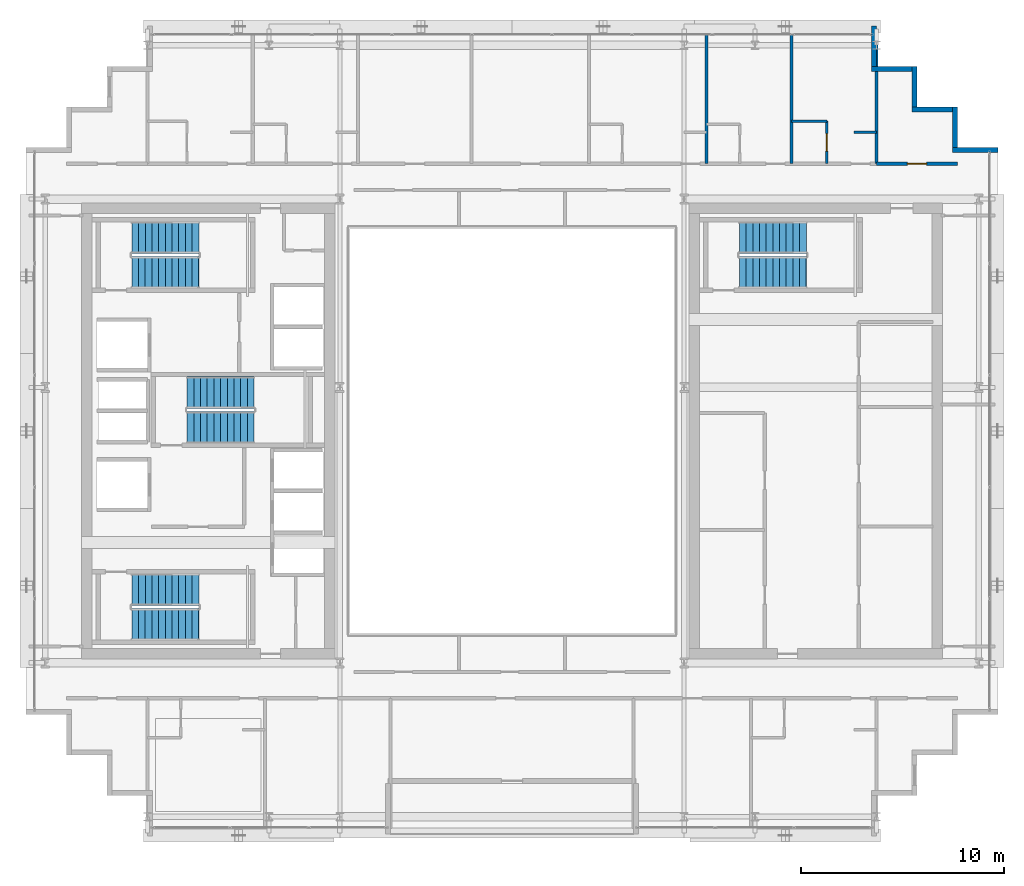
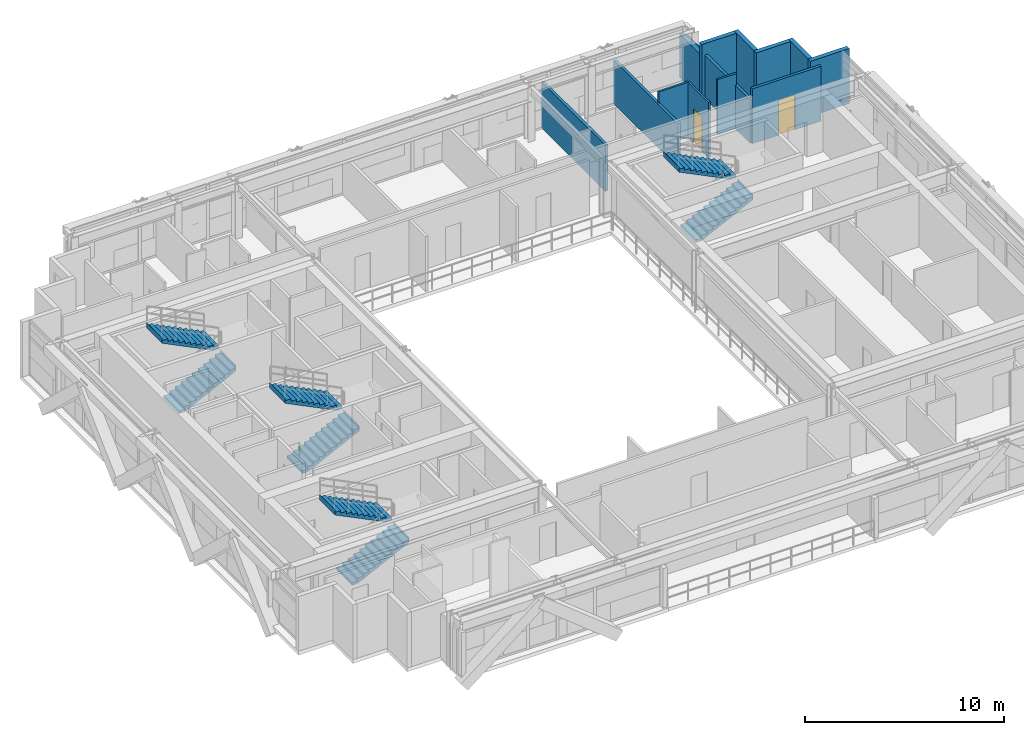
# One storey, part 27 of 31: 13 walls, 8 stair flights, 2 doors, 2 openings, 4 elements without a shape of their own.
"""IFC4 building model written with IfcOpenShell, lengths in metres."""

from ifc_helpers import new_model, si_unit, direction, frame, frame_2d, origin, place, context, subcontext, project, spatial, polyline, rectangle, outline, extrude, source, transform, mapped, material, layer, layer_set, type_object, element, fill, aggregate, save


model = new_model("IFC4")

# Units and contexts
model_context = context("Model", 3, precision=1e-05, world=origin(), true_north=direction((0.0, 1.0)))
body_context = subcontext(model_context, "Body", "Model", "MODEL_VIEW")
ifc_project = project(units=[si_unit("LENGTHUNIT", "METRE"), si_unit("AREAUNIT", "SQUARE_METRE"), si_unit("VOLUMEUNIT", "CUBIC_METRE"), si_unit("PLANEANGLEUNIT", "RADIAN"), si_unit("MASSUNIT", "GRAM", prefix="KILO")], contexts=[model_context])

# Site, building, storey
site_placement = place(None, origin())
site = spatial("IfcSite", under=ifc_project, at=site_placement, CompositionType="ELEMENT")
building_placement = place(site_placement, origin())
building = spatial("IfcBuilding", under=site, at=building_placement, Name="Ocotamira Hotel", CompositionType="ELEMENT")
storey_placement = place(building_placement, frame((0.0, 0.0, 188.39990234375)))
storey = spatial("IfcBuildingStorey", under=building, at=storey_placement, Name="L47", CompositionType="ELEMENT", Elevation=188.39990234375)

# Walls
ifc_material_1 = material(Name="Precast concrete C45/55", Category="concrete")
ifc_layer_1 = layer(ifc_material_1, 0.25)
ifc_layer_set_1 = layer_set([ifc_layer_1], Name="Precast concrete C45/55")
wall_type_1 = type_object("IfcWallType", Name="WL-EXT-SER-250", PredefinedType="SOLIDWALL", material=ifc_layer_set_1)
wall_1_placement = place(storey_placement, frame((56.0, 39.875, 0.0), z_axis=(0.0, 0.0, 1.0), x_axis=(-1.0, 0.0, 0.0)))
element("IfcWall", 1, at=wall_1_placement, inside=storey, type_object=wall_type_1, Name="L47 Serrated Corner Wall 07", PredefinedType="SOLIDWALL", context=body_context, shape_type="SweptSolid", body=[
    extrude(rectangle(XDim=2.25, YDim=0.25, at=frame_2d((1.125, 0.0))), origin(), (0.0, 0.0, 1.0), 3.3701171875),
])
for number, where, z_axis, x_axis, name in (
    (2, (53.875, 40.0, 0.0), (0.0, 0.0, 1.0), (0.0, 1.0, 0.0), "L47 Serrated Corner Wall 08"),
    (3, (53.75, 41.875, 0.0), (0.0, 0.0, 1.0), (-1.0, 0.0, 0.0), "L47 Serrated Corner Wall 09"),
    (4, (51.875, 42.0, 0.0), (0.0, 0.0, 1.0), (0.0, 1.0, 0.0), "L47 Serrated Corner Wall 10"),
    (5, (51.75, 43.875, 0.0), (0.0, 0.0, 1.0), (-1.0, 0.0, 0.0), "L47 Serrated Corner Wall 11"),
):
    element("IfcWall", number, at=place(storey_placement, frame(where, z_axis=z_axis, x_axis=x_axis)), inside=storey, type_object=wall_type_1, Name=name, PredefinedType="SOLIDWALL", context=body_context, shape_type="SweptSolid", body=[
        extrude(rectangle(XDim=2.0, YDim=0.25, at=frame_2d((1.0, 0.0))), origin(), (0.0, 0.0, 1.0), 3.3701171875),
    ])
wall_2_placement = place(storey_placement, frame((49.875, 44.0, 0.0), z_axis=(0.0, 0.0, 1.0), x_axis=(0.0, 1.0, 0.0)))
element("IfcWall", 6, at=wall_2_placement, inside=storey, type_object=wall_type_1, Name="L47 Serrated Corner Wall 12", PredefinedType="SOLIDWALL", context=body_context, shape_type="SweptSolid", body=[
    extrude(rectangle(XDim=2.0, YDim=0.25, at=frame_2d((1.0, 0.0))), origin(), (0.0, 0.0, 1.0), 2.677001953125),
])

# Wall, opening, door
ifc_material_2 = material(Name="Acoustic double-layer fire gypsum board partition", Category="gypsum")
ifc_layer_2 = layer(ifc_material_2, 0.159912109375)
ifc_layer_set_2 = layer_set([ifc_layer_2], Name="Acoustic double-layer fire gypsum board partition")
wall_type_2 = type_object("IfcWallType", Name="WL-FIRE-160", PredefinedType="PARTITIONING", material=ifc_layer_set_2)
wall_3_placement = place(storey_placement, frame((50.0, 39.199951171875, 0.0), z_axis=(0.0, 0.0, 1.0), x_axis=(1.0, 0.0, 0.0)))
wall_3 = element("IfcWall", 7, at=wall_3_placement, inside=storey, type_object=wall_type_2, Name="L47 Interior Wall PW-L47-Z3C-CNE-CW", PredefinedType="PARTITIONING", context=body_context, shape_type="SweptSolid", body=[
    extrude(rectangle(XDim=4.0, YDim=0.159912109375, at=frame_2d((2.0, 0.0))), origin(), (0.0, 0.0, 1.0), 3.3701171875),
])
opening_1_placement = place(wall_3_placement, frame((1.52001953125, 0.0, 0.0)))
opening_1 = element("IfcOpeningElement", 8, at=opening_1_placement, cuts=wall_3, Name="Opening D-SV4", PredefinedType="OPENING", context=body_context, shape_type="SweptSolid", body=[
    extrude(rectangle(XDim=0.9599609375, YDim=2.14990234375, at=frame_2d((0.47998046875, 1.074951171875))), frame((0.0, 0.08984375, 0.0), z_axis=(0.0, -1.0, 0.0), x_axis=(1.0, 0.0, 0.0)), (0.0, 0.0, 1.0), 0.179931640625),
])
ifc_material_3 = material(Name="Fire-rated accessible walnut salon door", Category="wood")
door_type_1 = type_object("IfcDoorType", Name="DR-SERV-960", OperationType="NOTDEFINED", PredefinedType="DOOR", material=ifc_material_3)
shared_shape_1 = source(origin(), body_context, "Body", "SweptSolid", [
    extrude(rectangle(XDim=0.9599609375, YDim=2.14990234375, at=frame_2d((0.47998046875, 1.074951171875))), frame((0.0, 0.02490234375, 0.0), z_axis=(0.0, -1.0, 0.0), x_axis=(1.0, 0.0, 0.0)), (0.0, 0.0, 1.0), 0.050048828125),
])
door_1_placement = place(opening_1_placement, origin())
door_1 = element("IfcDoor", 9, at=door_1_placement, inside=storey, type_object=door_type_1, Name="L47 Door ID-L47-Z3C-CNE-CD [ID-L47-Z3C-CNE-CD]", OperationType="SINGLE_SWING_LEFT", OverallHeight=2.14990234375, OverallWidth=0.9599609375, PredefinedType="DOOR", context=body_context, shape_type="MappedRepresentation", body=[
    mapped(shared_shape_1, transform((0.0, 0.0, 0.0), scale=1.0)),
])
fill(opening_1, door_1)

ifc_material_4 = material(Name="Moisture-resistant en-suite tile and gypsum partition", Category="gypsum")
ifc_layer_3 = layer(ifc_material_4, 0.1201171875)
ifc_layer_set_3 = layer_set([ifc_layer_3], Name="Moisture-resistant en-suite tile and gypsum partition")
wall_type_3 = type_object("IfcWallType", Name="WL-PART-120", PredefinedType="PARTITIONING", material=ifc_layer_set_3)
wall_4_placement = place(storey_placement, frame((47.550048828125, 39.199951171875, 0.0), z_axis=(0.0, 0.0, 1.0), x_axis=(0.0, 1.0, 0.0)))
wall_4 = element("IfcWall", 10, at=wall_4_placement, inside=storey, type_object=wall_type_3, Name="L47 Interior Wall PW-L47-Z3CN-BAE7", PredefinedType="PARTITIONING", context=body_context, shape_type="SweptSolid", body=[
    extrude(rectangle(XDim=2.10009765625, YDim=0.1201171875, at=frame_2d((1.050048828125, 0.0))), origin(), (0.0, 0.0, 1.0), 3.3701171875),
])
opening_2_placement = place(wall_4_placement, frame((0.6201171875, 0.0, 0.0)))
opening_2 = element("IfcOpeningElement", 11, at=opening_2_placement, cuts=wall_4, Name="Opening D-BA1", PredefinedType="OPENING", context=body_context, shape_type="SweptSolid", body=[
    extrude(rectangle(XDim=0.860107421875, YDim=2.10009765625, at=frame_2d((0.43017578125, 1.050048828125))), frame((0.0, 0.070068359375, 0.0), z_axis=(0.0, -1.0, 0.0), x_axis=(1.0, 0.0, 0.0)), (0.0, 0.0, 1.0), 0.14013671875),
])
ifc_material_5 = material(Name="Moisture-sealed en-suite timber door", Category="wood")
door_type_2 = type_object("IfcDoorType", Name="DR-BATH-860", OperationType="NOTDEFINED", PredefinedType="DOOR", material=ifc_material_5)
shared_shape_2 = source(origin(), body_context, "Body", "SweptSolid", [
    extrude(rectangle(XDim=0.860107421875, YDim=2.10009765625, at=frame_2d((0.43017578125, 1.050048828125))), frame((0.0, 0.02490234375, 0.0), z_axis=(0.0, -1.0, 0.0), x_axis=(1.0, 0.0, 0.0)), (0.0, 0.0, 1.0), 0.050048828125),
])
door_2_placement = place(opening_2_placement, origin())
door_2 = element("IfcDoor", 12, at=door_2_placement, inside=storey, type_object=door_type_2, Name="L47 Door ID-L47-Z3CN-BAD7 [ID-L47-Z3CN-BAD7]", OperationType="SINGLE_SWING_RIGHT", OverallHeight=2.10009765625, OverallWidth=0.860107421875, PredefinedType="DOOR", context=body_context, shape_type="MappedRepresentation", body=[
    mapped(shared_shape_2, transform((0.0, 0.0, 0.0), scale=1.0)),
])
fill(opening_2, door_2)

# Walls
wall_5_placement = place(storey_placement, frame((45.800048828125, 41.300048828125, 0.0), z_axis=(0.0, 0.0, 1.0), x_axis=(1.0, 0.0, 0.0)))
element("IfcWall", 13, at=wall_5_placement, inside=storey, type_object=wall_type_3, Name="L47 Interior Wall PW-L47-Z3CN-BAN7", PredefinedType="PARTITIONING", context=body_context, shape_type="SweptSolid", body=[
    extrude(rectangle(XDim=1.75, YDim=0.1201171875, at=frame_2d((0.875, 0.0))), origin(), (0.0, 0.0, 1.0), 3.3701171875),
])
wall_6_placement = place(storey_placement, frame((48.89990234375, 40.75, 0.0), z_axis=(0.0, 0.0, 1.0), x_axis=(1.0, 0.0, 0.0)))
element("IfcWall", 14, at=wall_6_placement, inside=storey, type_object=wall_type_3, Name="L47 Interior Wall PW-L47-Z3CN-DRN7", PredefinedType="PARTITIONING", context=body_context, shape_type="SweptSolid", body=[
    extrude(rectangle(XDim=1.10009765625, YDim=0.1201171875, at=frame_2d((0.550048828125, 0.0))), origin(), (0.0, 0.0, 1.0), 3.3701171875),
])
ifc_material_6 = material(Name="Acoustic double-stud hospitality gypsum partition", Category="gypsum")
ifc_layer_4 = layer(ifc_material_6, 0.159912109375)
ifc_layer_set_4 = layer_set([ifc_layer_4], Name="Acoustic double-stud hospitality gypsum partition")
wall_type_4 = type_object("IfcWallType", Name="WL-PART-160", PredefinedType="PARTITIONING", material=ifc_layer_set_4)
wall_7_placement = place(storey_placement, frame((50.0, 39.199951171875, 0.0), z_axis=(0.0, 0.0, 1.0), x_axis=(0.0, 1.0, 0.0)))
element("IfcWall", 15, at=wall_7_placement, inside=storey, type_object=wall_type_4, Name="L47 Interior Wall PW-L47-Z3CN-PWEND", PredefinedType="PARTITIONING", context=body_context, shape_type="SweptSolid", body=[
    extrude(rectangle(XDim=6.43994140625, YDim=0.159912109375, at=frame_2d((3.219970703125, 0.0))), origin(), (0.0, 0.0, 1.0), 2.677001953125),
])
wall_8_placement = place(storey_placement, frame((41.60009765625, 39.199951171875, 0.0), z_axis=(0.0, 0.0, 1.0), x_axis=(0.0, 1.0, 0.0)))
element("IfcWall", 16, at=wall_8_placement, inside=storey, type_object=wall_type_4, Name="L47 Interior Wall PW-L47-Z3CN-PW5", PredefinedType="PARTITIONING", context=body_context, shape_type="SweptSolid", body=[
    extrude(rectangle(XDim=6.43994140625, YDim=0.159912109375, at=frame_2d((3.219970703125, 0.0))), origin(), (0.0, 0.0, 1.0), 2.8330078125),
])
wall_9_placement = place(storey_placement, frame((45.800048828125, 39.199951171875, 0.0), z_axis=(0.0, 0.0, 1.0), x_axis=(0.0, 1.0, 0.0)))
element("IfcWall", 17, at=wall_9_placement, inside=storey, type_object=wall_type_4, Name="L47 Interior Wall PW-L47-Z3CN-PW6", PredefinedType="PARTITIONING", context=body_context, shape_type="SweptSolid", body=[
    extrude(rectangle(XDim=6.43994140625, YDim=0.159912109375, at=frame_2d((3.219970703125, 0.0))), origin(), (0.0, 0.0, 1.0), 2.677001953125),
])

# Stair, stair flights
ifc_material_7 = material(Name="Concrete C40/50", Category="concrete")
stair_type = type_object("IfcStairType", Name="ST-CORE-1560", PredefinedType="HALF_TURN_STAIR", material=ifc_material_7)
stair_1_placement = place(storey_placement, origin())
stair_1 = element("IfcStair", 18, at=stair_1_placement, inside=storey, type_object=stair_type, Name="L47 Exit Stair ST-1", PredefinedType="HALF_TURN_STAIR")
stair_flight_type = type_object("IfcStairFlightType", Name="STF-CORE-1560", PredefinedType="STRAIGHT", material=ifc_material_7)
shared_shape_3 = source(origin(), body_context, "Body", "SweptSolid", [
    extrude(outline(polyline([(-0.00390625, 0.0), (-0.00390625, 0.16357421875), (0.330078125, 0.16357421875), (0.330078125, 0.327392578125), (0.659912109375, 0.327392578125), (0.659912109375, 0.490966796875), (0.989990234375, 0.490966796875), (0.989990234375, 0.654541015625), (1.320068359375, 0.654541015625), (1.320068359375, 0.818115234375), (1.64990234375, 0.818115234375), (1.64990234375, 0.98193359375), (1.97998046875, 0.98193359375), (1.97998046875, 1.1455078125), (2.31005859375, 1.1455078125), (2.31005859375, 1.30908203125), (2.639892578125, 1.30908203125), (2.639892578125, 1.47265625), (2.969970703125, 1.47265625), (2.969970703125, 1.636474609375), (3.300048828125, 1.636474609375), (3.300048828125, 1.800048828125), (3.303955078125, 1.800048828125), (3.303955078125, 1.468994140625), (0.33740234375, 0.0), (-0.00390625, 0.0)])), frame((0.0, 0.780029296875, 0.0), z_axis=(0.0, -1.0, 0.0), x_axis=(1.0, 0.0, 0.0)), (0.0, 0.0, 1.0), 1.56005859375),
])
stair_flight_1_placement = place(storey_placement, frame((13.22998046875, 16.449951171875, 0.0), z_axis=(0.0, 0.0, 1.0), x_axis=(1.0, 0.0, 0.0)))
stair_flight_1 = element("IfcStairFlight", 19, at=stair_flight_1_placement, type_object=stair_flight_type, Name="ST-1 flight 1", NumberOfRisers=11, NumberOfTreads=10, PredefinedType="STRAIGHT", RiserHeight=0.163636364, TreadLength=0.33, context=body_context, shape_type="MappedRepresentation", body=[
    mapped(shared_shape_3, transform((0.0, 0.0, 0.0), scale=1.0)),
])
stair_flight_2_placement = place(storey_placement, frame((16.530029296875, 18.169921875, 1.800048828125), z_axis=(0.0, 0.0, 1.0), x_axis=(-1.0, 0.0, 0.0)))
stair_flight_2 = element("IfcStairFlight", 20, at=stair_flight_2_placement, type_object=stair_flight_type, Name="ST-1 flight 2", NumberOfRisers=11, NumberOfTreads=10, PredefinedType="STRAIGHT", RiserHeight=0.163636364, TreadLength=0.33, context=body_context, shape_type="MappedRepresentation", body=[
    mapped(shared_shape_3, transform((0.0, 0.0, 0.0), scale=1.0)),
])
aggregate(stair_1, [stair_flight_1, stair_flight_2])

stair_2_placement = place(storey_placement, origin())
stair_2 = element("IfcStair", 21, at=stair_2_placement, inside=storey, type_object=stair_type, Name="L47 Exit Stair ST-2", PredefinedType="HALF_TURN_STAIR")
stair_flight_3_placement = place(storey_placement, frame((13.22998046875, 33.830078125, 0.0), z_axis=(0.0, 0.0, 1.0), x_axis=(1.0, 0.0, 0.0)))
stair_flight_3 = element("IfcStairFlight", 22, at=stair_flight_3_placement, type_object=stair_flight_type, Name="ST-2 flight 1", NumberOfRisers=11, NumberOfTreads=10, PredefinedType="STRAIGHT", RiserHeight=0.163636364, TreadLength=0.33, context=body_context, shape_type="MappedRepresentation", body=[
    mapped(shared_shape_3, transform((0.0, 0.0, 0.0), scale=1.0)),
])
stair_flight_4_placement = place(storey_placement, frame((16.530029296875, 35.550048828125, 1.800048828125), z_axis=(0.0, 0.0, 1.0), x_axis=(-1.0, 0.0, 0.0)))
stair_flight_4 = element("IfcStairFlight", 23, at=stair_flight_4_placement, type_object=stair_flight_type, Name="ST-2 flight 2", NumberOfRisers=11, NumberOfTreads=10, PredefinedType="STRAIGHT", RiserHeight=0.163636364, TreadLength=0.33, context=body_context, shape_type="MappedRepresentation", body=[
    mapped(shared_shape_3, transform((0.0, 0.0, 0.0), scale=1.0)),
])
aggregate(stair_2, [stair_flight_3, stair_flight_4])

stair_3_placement = place(storey_placement, origin())
stair_3 = element("IfcStair", 24, at=stair_3_placement, inside=storey, type_object=stair_type, Name="L47 Exit Stair ST-3", PredefinedType="HALF_TURN_STAIR")
stair_flight_5_placement = place(storey_placement, frame((15.9599609375, 26.179931640625, 0.0), z_axis=(0.0, 0.0, 1.0), x_axis=(1.0, 0.0, 0.0)))
stair_flight_5 = element("IfcStairFlight", 25, at=stair_flight_5_placement, type_object=stair_flight_type, Name="ST-3 flight 1", NumberOfRisers=11, NumberOfTreads=10, PredefinedType="STRAIGHT", RiserHeight=0.163636364, TreadLength=0.33, context=body_context, shape_type="MappedRepresentation", body=[
    mapped(shared_shape_3, transform((0.0, 0.0, 0.0), scale=1.0)),
])
stair_flight_6_placement = place(storey_placement, frame((19.260009765625, 27.89990234375, 1.800048828125), z_axis=(0.0, 0.0, 1.0), x_axis=(-1.0, 0.0, 0.0)))
stair_flight_6 = element("IfcStairFlight", 26, at=stair_flight_6_placement, type_object=stair_flight_type, Name="ST-3 flight 2", NumberOfRisers=11, NumberOfTreads=10, PredefinedType="STRAIGHT", RiserHeight=0.163636364, TreadLength=0.33, context=body_context, shape_type="MappedRepresentation", body=[
    mapped(shared_shape_3, transform((0.0, 0.0, 0.0), scale=1.0)),
])
aggregate(stair_3, [stair_flight_5, stair_flight_6])

stair_4_placement = place(storey_placement, origin())
stair_4 = element("IfcStair", 27, at=stair_4_placement, inside=storey, type_object=stair_type, Name="L47 Exit Stair ST-4", PredefinedType="HALF_TURN_STAIR")
stair_flight_7_placement = place(storey_placement, frame((43.22998046875, 33.830078125, 0.0), z_axis=(0.0, 0.0, 1.0), x_axis=(1.0, 0.0, 0.0)))
stair_flight_7 = element("IfcStairFlight", 28, at=stair_flight_7_placement, type_object=stair_flight_type, Name="ST-4 flight 1", NumberOfRisers=11, NumberOfTreads=10, PredefinedType="STRAIGHT", RiserHeight=0.163636364, TreadLength=0.33, context=body_context, shape_type="MappedRepresentation", body=[
    mapped(shared_shape_3, transform((0.0, 0.0, 0.0), scale=1.0)),
])
stair_flight_8_placement = place(storey_placement, frame((46.530029296875, 35.550048828125, 1.800048828125), z_axis=(0.0, 0.0, 1.0), x_axis=(-1.0, 0.0, 0.0)))
stair_flight_8 = element("IfcStairFlight", 29, at=stair_flight_8_placement, type_object=stair_flight_type, Name="ST-4 flight 2", NumberOfRisers=11, NumberOfTreads=10, PredefinedType="STRAIGHT", RiserHeight=0.163636364, TreadLength=0.33, context=body_context, shape_type="MappedRepresentation", body=[
    mapped(shared_shape_3, transform((0.0, 0.0, 0.0), scale=1.0)),
])
aggregate(stair_4, [stair_flight_7, stair_flight_8])

save(model, "model.ifc")
